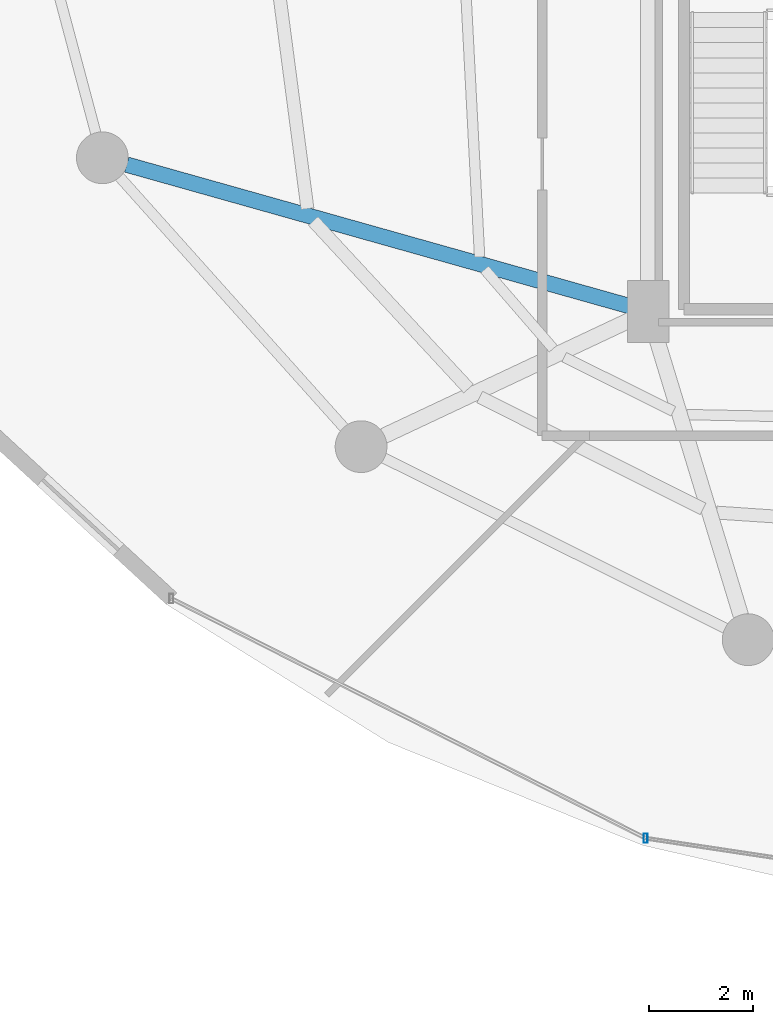
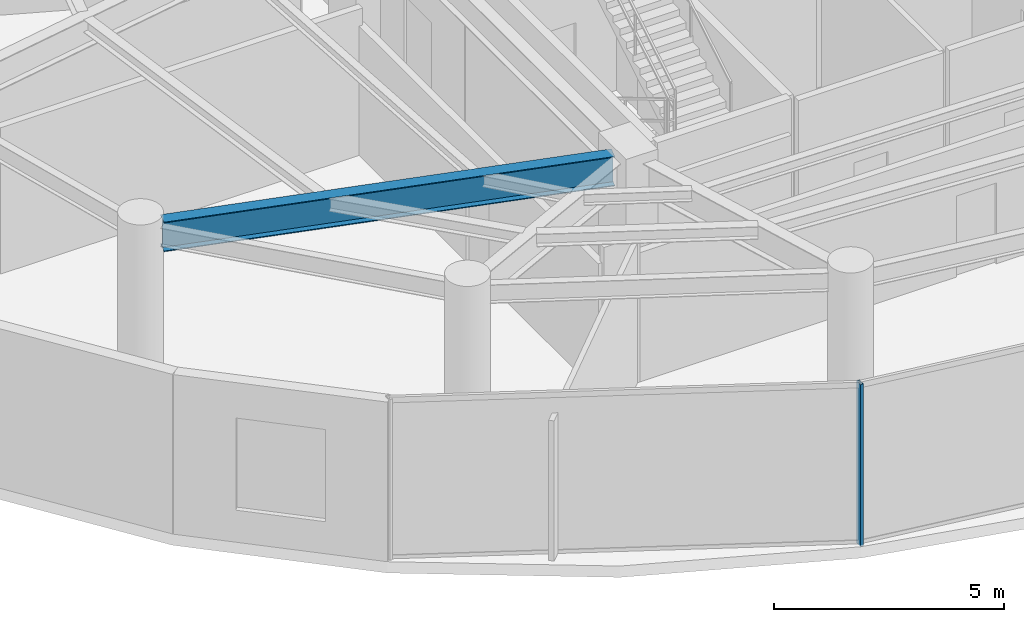
# One storey, part 3 of 31: 1 beam, 1 member, 1 element without a shape of its own.
"""IFC4 building model written with IfcOpenShell, lengths in metres."""

from ifc_helpers import new_model, si_unit, direction, frame, origin, origin_2d, place, context, subcontext, project, spatial, hollow_rectangle, i_section, extrude, material, material_profile, profile_set, type_object, element, aggregate, save


model = new_model("IFC4")

# Units and contexts
model_context = context("Model", 3, precision=1e-05, world=origin(), true_north=direction((0.0, 1.0)))
body_context = subcontext(model_context, "Body", "Model", "MODEL_VIEW")
ifc_project = project(units=[si_unit("LENGTHUNIT", "METRE"), si_unit("AREAUNIT", "SQUARE_METRE"), si_unit("VOLUMEUNIT", "CUBIC_METRE"), si_unit("PLANEANGLEUNIT", "RADIAN"), si_unit("MASSUNIT", "GRAM", prefix="KILO")], contexts=[model_context])

# Site, building, storey
site_placement = place(None, origin())
site = spatial("IfcSite", under=ifc_project, at=site_placement, CompositionType="ELEMENT")
building_placement = place(site_placement, origin())
building = spatial("IfcBuilding", under=site, at=building_placement, Name="Vorneva Point Tower", CompositionType="ELEMENT")
storey_placement = place(building_placement, frame((0.0, 0.0, 174.60009765625)))
storey = spatial("IfcBuildingStorey", under=building, at=storey_placement, Name="L47", CompositionType="ELEMENT", Elevation=174.60009765625)

# Beam
ifc_material_1 = material(Name="Steel S355", Category="steel")
ifc_material_profile_1 = material_profile(ifc_material_1, i_section(OverallWidth=0.300048828125, OverallDepth=0.7880859375, WebThickness=0.014404296875, FlangeThickness=0.02197265625, at=origin_2d()), Name="80Sh1")
ifc_profile_set_1 = profile_set([ifc_material_profile_1], Name="Steel S355")
beam_type = type_object("IfcBeamType", Name="BM-GRD-80Sh1", PredefinedType="USERDEFINED", material=ifc_profile_set_1)
beam_placement = place(storey_placement, frame((17.17431640625, 19.28564453125, 3.845947265625), z_axis=(0.96260085362, -0.270923599213, 0.0), x_axis=(0.270923599213, 0.96260085362, 0.0)))
element("IfcBeam", 1, at=beam_placement, inside=storey, type_object=beam_type, Name="L47 Radial Primary Girder 10", ObjectType="GIRDER", PredefinedType="USERDEFINED", context=body_context, shape_type="SweptSolid", body=[
    extrude(i_section(OverallWidth=0.300048828125, OverallDepth=0.7880859375, WebThickness=0.014404296875, FlangeThickness=0.02197265625, at=origin_2d()), origin(), (0.0, 0.0, 1.0), 10.126953125),
])

# Curtain wall, member
ifc_material_2 = material(Name="Pale anodised aluminium", Category="aluminium")
curtain_wall_type = type_object("IfcCurtainWallType", Name="CW-SKY-SYS", PredefinedType="NOTDEFINED", material=ifc_material_2)
curtain_wall_placement = place(storey_placement, origin())
curtain_wall = element("IfcCurtainWall", 2, at=curtain_wall_placement, inside=storey, type_object=curtain_wall_type, Name="L47 Unitised Curtain Wall CW-L47-R04", PredefinedType="NOTDEFINED")
ifc_material_profile_2 = material_profile(ifc_material_2, hollow_rectangle(XDim=0.074951171875, YDim=0.179931640625, WallThickness=0.00390625, at=origin_2d()), Name="AL-MUL 180x75x4")
ifc_profile_set_2 = profile_set([ifc_material_profile_2], Name="Pale anodised aluminium")
member_type = type_object("IfcMemberType", Name="CW-MUL-180", PredefinedType="MULLION", material=ifc_profile_set_2)
member_placement = place(storey_placement, frame((27.19677734375, 6.275146484375, -0.0400390625), z_axis=(0.0, 0.0, 1.0), x_axis=(1.0, 0.0, 0.0)))
member = element("IfcMember", 3, at=member_placement, type_object=member_type, Name="CW-L47-R04 Mullion 02", PredefinedType="MULLION", context=body_context, shape_type="SweptSolid", body=[
    extrude(hollow_rectangle(XDim=0.074951171875, YDim=0.179931640625, WallThickness=0.00390625, at=origin_2d()), origin(), (0.0, 0.0, 1.0), 4.31005859375),
])
aggregate(curtain_wall, [member])

save(model, "model.ifc")
